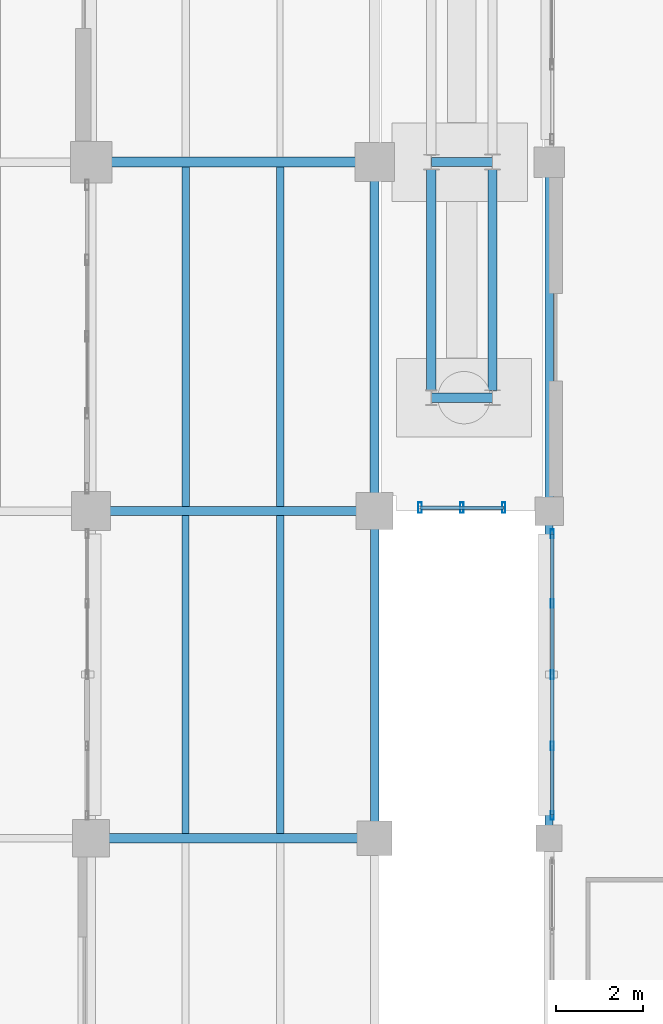
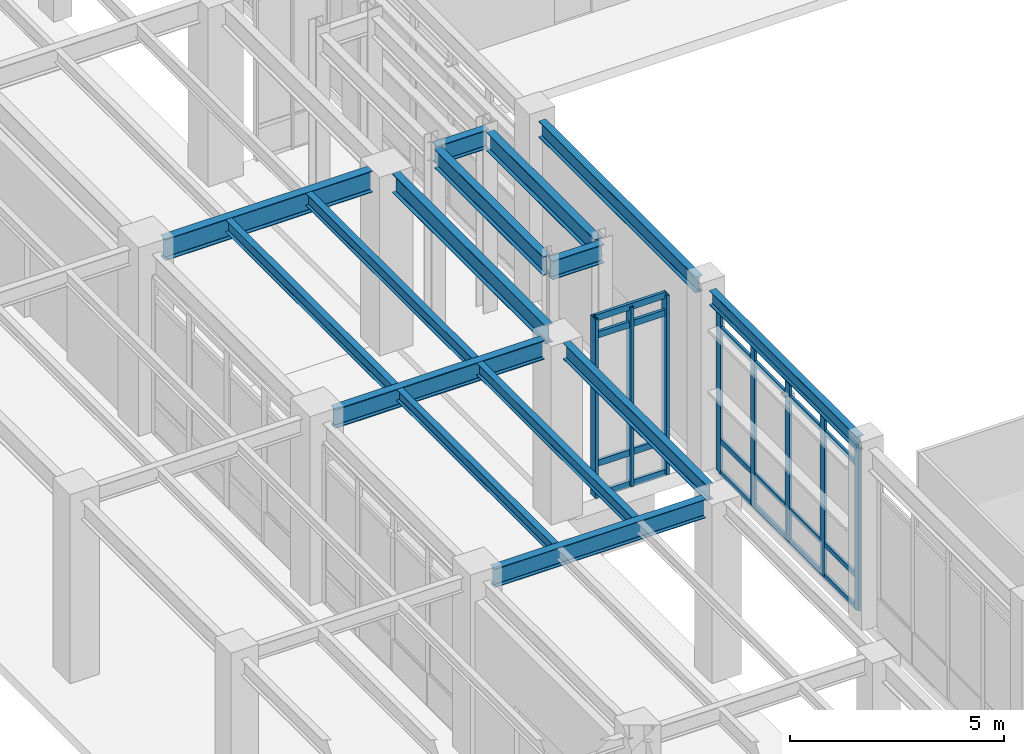
# One storey, part 112 of 203: 16 members, 15 beams, 2 elements without a shape of their own.
"""IFC4 building model written with IfcOpenShell, lengths in metres."""

from ifc_helpers import new_model, si_unit, direction, frame, origin, origin_2d, place, context, subcontext, project, spatial, hollow_rectangle, i_section, extrude, material, material_profile, profile_set, type_object, element, aggregate, save


model = new_model("IFC4")

# Units and contexts
model_context = context("Model", 3, precision=1e-05, world=origin(), true_north=direction((0.0, 1.0)))
body_context = subcontext(model_context, "Body", "Model", "MODEL_VIEW")
ifc_project = project(units=[si_unit("LENGTHUNIT", "METRE"), si_unit("AREAUNIT", "SQUARE_METRE"), si_unit("VOLUMEUNIT", "CUBIC_METRE"), si_unit("PLANEANGLEUNIT", "RADIAN"), si_unit("MASSUNIT", "GRAM", prefix="KILO"), si_unit("THERMODYNAMICTEMPERATUREUNIT", "KELVIN"), si_unit("POWERUNIT", "WATT")], contexts=[model_context])

# Site, building, storey
site_placement = place(None, origin())
site = spatial("IfcSite", under=ifc_project, at=site_placement, CompositionType="ELEMENT")
building_placement = place(site_placement, origin())
building = spatial("IfcBuilding", under=site, at=building_placement, Name="Tepalcoro Natatorium and Aquatics Centre", CompositionType="ELEMENT")
storey_placement = place(building_placement, origin())
storey = spatial("IfcBuildingStorey", under=building, at=storey_placement, Name="L00", CompositionType="ELEMENT", Elevation=0.0)

# Beams
ifc_material_1 = material(Name="Steel ASTM A992 Grade 50 (Fy 345 MPa)", Category="steel")
ifc_material_profile_1 = material_profile(ifc_material_1, i_section(OverallWidth=0.2109375, OverallDepth=0.5380859375, WebThickness=0.011962890625, FlangeThickness=0.01904296875, FilletRadius=0.013916015625, at=origin_2d()), Name="W21X73")
ifc_profile_set_1 = profile_set([ifc_material_profile_1], Name="Steel ASTM A992 Grade 50 (Fy 345 MPa)")
beam_type_1 = type_object("IfcBeamType", Name="BM_LINK_LB1", PredefinedType="BEAM", material=ifc_profile_set_1)
for number, where, z_axis, x_axis, name in (
    (1, (139.300048828125, 30.60009765625, 4.89599609375), (1.0, 0.0, 0.0), (0.0, 1.0, 0.0), "Seismic passage link beam LB1 (V6E L00)"),
    (2, (139.300048828125, 36.0, 4.89599609375), (1.0, 0.0, 0.0), (0.0, 1.0, 0.0), "Seismic passage link beam LB1 (V6E L00)"),
):
    element("IfcBeam", number, at=place(storey_placement, frame(where, z_axis=z_axis, x_axis=x_axis)), inside=storey, type_object=beam_type_1, Name=name, PredefinedType="BEAM", context=body_context, shape_type="SweptSolid", body=[
        extrude(i_section(OverallWidth=0.2109375, OverallDepth=0.5380859375, WebThickness=0.011962890625, FlangeThickness=0.01904296875, FilletRadius=0.013916015625, at=origin_2d()), origin(), (0.0, 0.0, 1.0), 1.39990234375),
    ])
beam_1_placement = place(storey_placement, frame((139.300048828125, 30.757080078125, 4.89599609375), z_axis=(0.0, 1.0, 0.0), x_axis=(-1.0, 0.0, 0.0)))
element("IfcBeam", 3, at=beam_1_placement, inside=storey, type_object=beam_type_1, Name="Seismic passage link beam LB1 (V6E L00)", PredefinedType="BEAM", context=body_context, shape_type="SweptSolid", body=[
    extrude(i_section(OverallWidth=0.2109375, OverallDepth=0.5380859375, WebThickness=0.011962890625, FlangeThickness=0.01904296875, FilletRadius=0.013916015625, at=origin_2d()), origin(), (0.0, 0.0, 1.0), 5.0859375),
])
beam_2_placement = place(storey_placement, frame((140.699951171875, 30.757080078125, 4.89599609375), z_axis=(0.0, 1.0, 0.0), x_axis=(-1.0, 0.0, 0.0)))
element("IfcBeam", 4, at=beam_2_placement, inside=storey, type_object=beam_type_1, Name="Seismic passage link beam LB1 (V6E L00)", PredefinedType="BEAM", context=body_context, shape_type="SweptSolid", body=[
    extrude(i_section(OverallWidth=0.2109375, OverallDepth=0.5380859375, WebThickness=0.011962890625, FlangeThickness=0.01904296875, FilletRadius=0.013916015625, at=origin_2d()), origin(), (0.0, 0.0, 1.0), 5.079833984375),
])
ifc_material_profile_2 = material_profile(ifc_material_1, i_section(OverallWidth=0.2099609375, OverallDepth=0.532958984375, WebThickness=0.010009765625, FlangeThickness=0.01611328125, FilletRadius=0.013916015625, at=origin_2d()), Name="W21X62")
ifc_profile_set_2 = profile_set([ifc_material_profile_2], Name="Steel ASTM A992 Grade 50 (Fy 345 MPa)")
beam_type_2 = type_object("IfcBeamType", Name="BM_W21x62", PredefinedType="BEAM", material=ifc_profile_set_2)
beam_3_placement = place(storey_placement, frame((131.909912109375, 20.5, 4.818603515625), z_axis=(1.0, 0.0, 0.0), x_axis=(0.0, 1.0, 0.0)))
element("IfcBeam", 5, at=beam_3_placement, inside=storey, type_object=beam_type_2, Name="V1 L00 Grid Girder X", PredefinedType="BEAM", context=body_context, shape_type="SweptSolid", body=[
    extrude(i_section(OverallWidth=0.2099609375, OverallDepth=0.532958984375, WebThickness=0.010009765625, FlangeThickness=0.01611328125, FilletRadius=0.013916015625, at=origin_2d()), origin(), (0.0, 0.0, 1.0), 5.705078125),
])
ifc_material_profile_3 = material_profile(ifc_material_1, i_section(OverallWidth=0.2119140625, OverallDepth=0.5439453125, WebThickness=0.012939453125, FlangeThickness=0.02099609375, FilletRadius=0.013916015625, at=origin_2d()), Name="W21X83")
ifc_profile_set_3 = profile_set([ifc_material_profile_3], Name="Steel ASTM A992 Grade 50 (Fy 345 MPa)")
beam_type_3 = type_object("IfcBeamType", Name="BM_W21x83", PredefinedType="BEAM", material=ifc_profile_set_3)
beam_4_placement = place(storey_placement, frame((131.93505859375, 28.0, 4.81298828125), z_axis=(1.0, 0.0, 0.0), x_axis=(0.0, 1.0, 0.0)))
element("IfcBeam", 6, at=beam_4_placement, inside=storey, type_object=beam_type_3, Name="V1 L00 Grid Girder X", PredefinedType="BEAM", context=body_context, shape_type="SweptSolid", body=[
    extrude(i_section(OverallWidth=0.2119140625, OverallDepth=0.5439453125, WebThickness=0.012939453125, FlangeThickness=0.02099609375, FilletRadius=0.013916015625, at=origin_2d()), origin(), (0.0, 0.0, 1.0), 5.655029296875),
])
ifc_material_profile_4 = material_profile(ifc_material_1, i_section(OverallWidth=0.22802734375, OverallDepth=0.60693359375, WebThickness=0.010986328125, FlangeThickness=0.01708984375, FilletRadius=0.013916015625, at=origin_2d()), Name="W24X76")
ifc_profile_set_4 = profile_set([ifc_material_profile_4], Name="Steel ASTM A992 Grade 50 (Fy 345 MPa)")
beam_type_4 = type_object("IfcBeamType", Name="BM_W24x76", PredefinedType="BEAM", material=ifc_profile_set_4)
beam_5_placement = place(storey_placement, frame((131.9599609375, 36.0, 4.781494140625), z_axis=(1.0, 0.0, 0.0), x_axis=(0.0, 1.0, 0.0)))
element("IfcBeam", 7, at=beam_5_placement, inside=storey, type_object=beam_type_4, Name="V1 L00 Grid Girder X", PredefinedType="BEAM", context=body_context, shape_type="SweptSolid", body=[
    extrude(i_section(OverallWidth=0.22802734375, OverallDepth=0.60693359375, WebThickness=0.010986328125, FlangeThickness=0.01708984375, FilletRadius=0.013916015625, at=origin_2d()), origin(), (0.0, 0.0, 1.0), 5.60498046875),
])

# Curtain wall, members
ifc_material_2 = material(Name="Bronze-Anodised Extruded Aluminium Alloy EN AW-6063 T6", Category="aluminium")
curtain_wall_type_1 = type_object("IfcCurtainWallType", Name="CW_LEAN_T1_EW", PredefinedType="USERDEFINED", material=ifc_material_2)
curtain_wall_1_placement = place(storey_placement, origin())
curtain_wall_1 = element("IfcCurtainWall", 8, at=curtain_wall_1_placement, inside=storey, type_object=curtain_wall_type_1, Name="V2 L00 W Unitised Curtain Wall Bay 3", ObjectType="FACETED SOLAR GLAZING", PredefinedType="USERDEFINED")
ifc_material_profile_5 = material_profile(ifc_material_2, hollow_rectangle(XDim=0.070068359375, YDim=0.199951171875, WallThickness=0.0048828125, at=origin_2d()), Name="AL70X200X5")
ifc_profile_set_5 = profile_set([ifc_material_profile_5], Name="Bronze-Anodised Extruded Aluminium Alloy EN AW-6063 T6")
member_type_1 = type_object("IfcMemberType", Name="CW_MUL_70x200", PredefinedType="MULLION", material=ifc_profile_set_5)
member_1_placement = place(storey_placement, frame((142.0712890625, 21.02001953125, 0.02001953125), z_axis=(0.0, 0.0, 1.0), x_axis=(1.0, 0.0, 0.0)))
member_1 = element("IfcMember", 9, at=member_1_placement, type_object=member_type_1, Name="CW_LEAN_T1_EW Curtain Wall Mullion", PredefinedType="MULLION", context=body_context, shape_type="SweptSolid", body=[
    extrude(hollow_rectangle(XDim=0.070068359375, YDim=0.199951171875, WallThickness=0.0048828125, at=origin_2d()), origin(), (0.0, 0.0, 1.0), 4.656982421875),
])
member_2_placement = place(storey_placement, frame((142.0712890625, 22.614990234375, 0.02001953125), z_axis=(0.0, 0.0, 1.0), x_axis=(1.0, 0.0, 0.0)))
member_2 = element("IfcMember", 10, at=member_2_placement, type_object=member_type_1, Name="CW_LEAN_T1_EW Curtain Wall Mullion", PredefinedType="MULLION", context=body_context, shape_type="SweptSolid", body=[
    extrude(hollow_rectangle(XDim=0.070068359375, YDim=0.199951171875, WallThickness=0.0048828125, at=origin_2d()), origin(), (0.0, 0.0, 1.0), 4.656982421875),
])
member_3_placement = place(storey_placement, frame((142.0712890625, 24.25, 0.02001953125), z_axis=(0.0, 0.0, 1.0), x_axis=(1.0, 0.0, 0.0)))
member_3 = element("IfcMember", 11, at=member_3_placement, type_object=member_type_1, Name="CW_LEAN_T1_EW Curtain Wall Mullion", PredefinedType="MULLION", context=body_context, shape_type="SweptSolid", body=[
    extrude(hollow_rectangle(XDim=0.070068359375, YDim=0.199951171875, WallThickness=0.0048828125, at=origin_2d()), origin(), (0.0, 0.0, 1.0), 4.656982421875),
])
member_4_placement = place(storey_placement, frame((142.0712890625, 25.885009765625, 0.02001953125), z_axis=(0.0, 0.0, 1.0), x_axis=(1.0, 0.0, 0.0)))
member_4 = element("IfcMember", 12, at=member_4_placement, type_object=member_type_1, Name="CW_LEAN_T1_EW Curtain Wall Mullion", PredefinedType="MULLION", context=body_context, shape_type="SweptSolid", body=[
    extrude(hollow_rectangle(XDim=0.070068359375, YDim=0.199951171875, WallThickness=0.0048828125, at=origin_2d()), origin(), (0.0, 0.0, 1.0), 4.656982421875),
])
member_5_placement = place(storey_placement, frame((142.0712890625, 27.47998046875, 0.02001953125), z_axis=(0.0, 0.0, 1.0), x_axis=(1.0, 0.0, 0.0)))
member_5 = element("IfcMember", 13, at=member_5_placement, type_object=member_type_1, Name="CW_LEAN_T1_EW Curtain Wall Mullion", PredefinedType="MULLION", context=body_context, shape_type="SweptSolid", body=[
    extrude(hollow_rectangle(XDim=0.070068359375, YDim=0.199951171875, WallThickness=0.0048828125, at=origin_2d()), origin(), (0.0, 0.0, 1.0), 4.656982421875),
])

curtain_wall_type_2 = type_object("IfcCurtainWallType", Name="CW_LINK_150", PredefinedType="USERDEFINED", material=ifc_material_2)
curtain_wall_2_placement = place(storey_placement, origin())
curtain_wall_2 = element("IfcCurtainWall", 14, at=curtain_wall_2_placement, inside=storey, type_object=curtain_wall_type_2, Name="East Diving Seismic Link Glazed Wall S L00", ObjectType="UNITISED STOREFRONT", PredefinedType="USERDEFINED")
ifc_material_profile_6 = material_profile(ifc_material_2, hollow_rectangle(XDim=0.080078125, YDim=0.239990234375, WallThickness=0.0048828125, at=origin_2d()), Name="AL80X240X5")
ifc_profile_set_6 = profile_set([ifc_material_profile_6], Name="Bronze-Anodised Extruded Aluminium Alloy EN AW-6063 T6")
member_type_2 = type_object("IfcMemberType", Name="CW_MUL_80x240", PredefinedType="MULLION", material=ifc_profile_set_6)
member_6_placement = place(storey_placement, frame((139.0400390625, 28.080078125, 0.02001953125), z_axis=(0.0, 0.0, 1.0), x_axis=(1.0, 0.0, 0.0)))
member_6 = element("IfcMember", 15, at=member_6_placement, type_object=member_type_2, Name="CW_LINK_150 Curtain Wall Mullion", PredefinedType="MULLION", context=body_context, shape_type="SweptSolid", body=[
    extrude(hollow_rectangle(XDim=0.080078125, YDim=0.239990234375, WallThickness=0.0048828125, at=origin_2d()), origin(), (0.0, 0.0, 1.0), 5.119873046875),
])
member_7_placement = place(storey_placement, frame((140.0, 28.080078125, 0.02001953125), z_axis=(0.0, 0.0, 1.0), x_axis=(1.0, 0.0, 0.0)))
member_7 = element("IfcMember", 16, at=member_7_placement, type_object=member_type_2, Name="CW_LINK_150 Curtain Wall Mullion", PredefinedType="MULLION", context=body_context, shape_type="SweptSolid", body=[
    extrude(hollow_rectangle(XDim=0.080078125, YDim=0.239990234375, WallThickness=0.0048828125, at=origin_2d()), origin(), (0.0, 0.0, 1.0), 5.119873046875),
])
member_8_placement = place(storey_placement, frame((140.9599609375, 28.080078125, 0.02001953125), z_axis=(0.0, 0.0, 1.0), x_axis=(1.0, 0.0, 0.0)))
member_8 = element("IfcMember", 17, at=member_8_placement, type_object=member_type_2, Name="CW_LINK_150 Curtain Wall Mullion", PredefinedType="MULLION", context=body_context, shape_type="SweptSolid", body=[
    extrude(hollow_rectangle(XDim=0.080078125, YDim=0.239990234375, WallThickness=0.0048828125, at=origin_2d()), origin(), (0.0, 0.0, 1.0), 5.119873046875),
])

# Member
ifc_material_profile_7 = material_profile(ifc_material_2, hollow_rectangle(XDim=0.070068359375, YDim=0.14990234375, WallThickness=0.00390625, at=origin_2d()), Name="AL70X150X4")
ifc_profile_set_7 = profile_set([ifc_material_profile_7], Name="Bronze-Anodised Extruded Aluminium Alloy EN AW-6063 T6")
member_type_3 = type_object("IfcMemberType", Name="CW_TRN_70x150", PredefinedType="USERDEFINED", material=ifc_profile_set_7)
member_9_placement = place(storey_placement, frame((142.0712890625, 21.030029296875, 0.050048828125), z_axis=(0.0, 1.0, 0.0), x_axis=(-1.0, 0.0, 0.0)))
member_9 = element("IfcMember", 18, at=member_9_placement, type_object=member_type_3, Name="CW_LEAN_T1_EW Curtain Wall Transom", ObjectType="TRANSOM", PredefinedType="USERDEFINED", context=body_context, shape_type="SweptSolid", body=[
    extrude(hollow_rectangle(XDim=0.070068359375, YDim=0.14990234375, WallThickness=0.00390625, at=origin_2d()), origin(), (0.0, 0.0, 1.0), 6.43994140625),
])

member_10_placement = place(storey_placement, frame((142.0712890625, 21.030029296875, 0.949951171875), z_axis=(0.0, 1.0, 0.0), x_axis=(-1.0, 0.0, 0.0)))
member_10 = element("IfcMember", 19, at=member_10_placement, type_object=member_type_3, Name="CW_LEAN_T1_EW Curtain Wall Transom", ObjectType="TRANSOM", PredefinedType="USERDEFINED", context=body_context, shape_type="SweptSolid", body=[
    extrude(hollow_rectangle(XDim=0.070068359375, YDim=0.14990234375, WallThickness=0.00390625, at=origin_2d()), origin(), (0.0, 0.0, 1.0), 6.43994140625),
])

member_11_placement = place(storey_placement, frame((142.0712890625, 21.030029296875, 4.14697265625), z_axis=(0.0, 1.0, 0.0), x_axis=(-1.0, 0.0, 0.0)))
member_11 = element("IfcMember", 20, at=member_11_placement, type_object=member_type_3, Name="CW_LEAN_T1_EW Curtain Wall Transom", ObjectType="TRANSOM", PredefinedType="USERDEFINED", context=body_context, shape_type="SweptSolid", body=[
    extrude(hollow_rectangle(XDim=0.070068359375, YDim=0.14990234375, WallThickness=0.00390625, at=origin_2d()), origin(), (0.0, 0.0, 1.0), 6.43994140625),
])

member_12_placement = place(storey_placement, frame((142.0712890625, 21.030029296875, 4.64697265625), z_axis=(0.0, 1.0, 0.0), x_axis=(-1.0, 0.0, 0.0)))
member_12 = element("IfcMember", 21, at=member_12_placement, type_object=member_type_3, Name="CW_LEAN_T1_EW Curtain Wall Transom", ObjectType="TRANSOM", PredefinedType="USERDEFINED", context=body_context, shape_type="SweptSolid", body=[
    extrude(hollow_rectangle(XDim=0.070068359375, YDim=0.14990234375, WallThickness=0.00390625, at=origin_2d()), origin(), (0.0, 0.0, 1.0), 6.43994140625),
])

aggregate(curtain_wall_1, [member_1, member_2, member_3, member_4, member_5, member_9, member_10, member_11, member_12])

ifc_material_profile_8 = material_profile(ifc_material_2, hollow_rectangle(XDim=0.080078125, YDim=0.179931640625, WallThickness=0.0048828125, at=origin_2d()), Name="AL80X180X5")
ifc_profile_set_8 = profile_set([ifc_material_profile_8], Name="Bronze-Anodised Extruded Aluminium Alloy EN AW-6063 T6")
member_type_4 = type_object("IfcMemberType", Name="CW_TRN_80x180", PredefinedType="USERDEFINED", material=ifc_profile_set_8)
member_13_placement = place(storey_placement, frame((139.050048828125, 28.080078125, 0.050048828125), z_axis=(1.0, 0.0, 0.0), x_axis=(0.0, 1.0, 0.0)))
member_13 = element("IfcMember", 22, at=member_13_placement, type_object=member_type_4, Name="CW_LINK_150 Curtain Wall Transom", ObjectType="TRANSOM", PredefinedType="USERDEFINED", context=body_context, shape_type="SweptSolid", body=[
    extrude(hollow_rectangle(XDim=0.080078125, YDim=0.179931640625, WallThickness=0.0048828125, at=origin_2d()), origin(), (0.0, 0.0, 1.0), 1.89990234375),
])

member_14_placement = place(storey_placement, frame((139.050048828125, 28.080078125, 0.949951171875), z_axis=(1.0, 0.0, 0.0), x_axis=(0.0, 1.0, 0.0)))
member_14 = element("IfcMember", 23, at=member_14_placement, type_object=member_type_4, Name="CW_LINK_150 Curtain Wall Transom", ObjectType="TRANSOM", PredefinedType="USERDEFINED", context=body_context, shape_type="SweptSolid", body=[
    extrude(hollow_rectangle(XDim=0.080078125, YDim=0.179931640625, WallThickness=0.0048828125, at=origin_2d()), origin(), (0.0, 0.0, 1.0), 1.89990234375),
])

member_15_placement = place(storey_placement, frame((139.050048828125, 28.080078125, 4.610107421875), z_axis=(1.0, 0.0, 0.0), x_axis=(0.0, 1.0, 0.0)))
member_15 = element("IfcMember", 24, at=member_15_placement, type_object=member_type_4, Name="CW_LINK_150 Curtain Wall Transom", ObjectType="TRANSOM", PredefinedType="USERDEFINED", context=body_context, shape_type="SweptSolid", body=[
    extrude(hollow_rectangle(XDim=0.080078125, YDim=0.179931640625, WallThickness=0.0048828125, at=origin_2d()), origin(), (0.0, 0.0, 1.0), 1.89990234375),
])

member_16_placement = place(storey_placement, frame((139.050048828125, 28.080078125, 5.110107421875), z_axis=(1.0, 0.0, 0.0), x_axis=(0.0, 1.0, 0.0)))
member_16 = element("IfcMember", 25, at=member_16_placement, type_object=member_type_4, Name="CW_LINK_150 Curtain Wall Transom", ObjectType="TRANSOM", PredefinedType="USERDEFINED", context=body_context, shape_type="SweptSolid", body=[
    extrude(hollow_rectangle(XDim=0.080078125, YDim=0.179931640625, WallThickness=0.0048828125, at=origin_2d()), origin(), (0.0, 0.0, 1.0), 1.89990234375),
])

aggregate(curtain_wall_2, [member_6, member_7, member_8, member_13, member_14, member_15, member_16])

# Beams
ifc_material_profile_9 = material_profile(ifc_material_1, i_section(OverallWidth=0.1669921875, OverallDepth=0.318115234375, WebThickness=0.008056640625, FlangeThickness=0.012939453125, FilletRadius=0.013916015625, at=origin_2d()), Name="W12X35")
ifc_profile_set_9 = profile_set([ifc_material_profile_9], Name="Steel ASTM A992 Grade 50 (Fy 345 MPa)")
beam_type_5 = type_object("IfcBeamType", Name="JS_W12x35", PredefinedType="JOIST", material=ifc_profile_set_9)
beam_6_placement = place(storey_placement, frame((133.666748046875, 20.60498046875, 4.926025390625), z_axis=(0.0, 1.0, 0.0), x_axis=(-1.0, 0.0, 0.0)))
element("IfcBeam", 26, at=beam_6_placement, inside=storey, type_object=beam_type_5, Name="V1 L00 Floor Joist", PredefinedType="JOIST", context=body_context, shape_type="SweptSolid", body=[
    extrude(i_section(OverallWidth=0.1669921875, OverallDepth=0.318115234375, WebThickness=0.008056640625, FlangeThickness=0.012939453125, FilletRadius=0.013916015625, at=origin_2d()), origin(), (0.0, 0.0, 1.0), 7.2890625),
])
ifc_material_profile_10 = material_profile(ifc_material_1, i_section(OverallWidth=0.1708984375, OverallDepth=0.35107421875, WebThickness=0.007080078125, FlangeThickness=0.010009765625, FilletRadius=0.013916015625, at=origin_2d()), Name="W14X30")
ifc_profile_set_10 = profile_set([ifc_material_profile_10], Name="Steel ASTM A992 Grade 50 (Fy 345 MPa)")
beam_type_6 = type_object("IfcBeamType", Name="JS_W14x30", PredefinedType="JOIST", material=ifc_profile_set_10)
beam_7_placement = place(storey_placement, frame((135.833251953125, 20.60498046875, 4.909423828125), z_axis=(0.0, 1.0, 0.0), x_axis=(-1.0, 0.0, 0.0)))
element("IfcBeam", 27, at=beam_7_placement, inside=storey, type_object=beam_type_6, Name="V1 L00 Floor Joist", PredefinedType="JOIST", context=body_context, shape_type="SweptSolid", body=[
    extrude(i_section(OverallWidth=0.1708984375, OverallDepth=0.35107421875, WebThickness=0.007080078125, FlangeThickness=0.010009765625, FilletRadius=0.013916015625, at=origin_2d()), origin(), (0.0, 0.0, 1.0), 7.2890625),
])
beam_8_placement = place(storey_placement, frame((133.666748046875, 28.10595703125, 4.909423828125), z_axis=(0.0, 1.0, 0.0), x_axis=(-1.0, 0.0, 0.0)))
element("IfcBeam", 28, at=beam_8_placement, inside=storey, type_object=beam_type_6, Name="V1 L00 Floor Joist", PredefinedType="JOIST", context=body_context, shape_type="SweptSolid", body=[
    extrude(i_section(OverallWidth=0.1708984375, OverallDepth=0.35107421875, WebThickness=0.007080078125, FlangeThickness=0.010009765625, FilletRadius=0.013916015625, at=origin_2d()), origin(), (0.0, 0.0, 1.0), 7.780029296875),
])
ifc_material_profile_11 = material_profile(ifc_material_1, i_section(OverallWidth=0.172119140625, OverallDepth=0.35791015625, WebThickness=0.008056640625, FlangeThickness=0.012939453125, FilletRadius=0.013916015625, at=origin_2d()), Name="W14X38")
ifc_profile_set_11 = profile_set([ifc_material_profile_11], Name="Steel ASTM A992 Grade 50 (Fy 345 MPa)")
beam_type_7 = type_object("IfcBeamType", Name="JS_W14x38", PredefinedType="JOIST", material=ifc_profile_set_11)
beam_9_placement = place(storey_placement, frame((135.833251953125, 28.10595703125, 4.906005859375), z_axis=(0.0, 1.0, 0.0), x_axis=(-1.0, 0.0, 0.0)))
element("IfcBeam", 29, at=beam_9_placement, inside=storey, type_object=beam_type_7, Name="V1 L00 Floor Joist", PredefinedType="JOIST", context=body_context, shape_type="SweptSolid", body=[
    extrude(i_section(OverallWidth=0.172119140625, OverallDepth=0.35791015625, WebThickness=0.008056640625, FlangeThickness=0.012939453125, FilletRadius=0.013916015625, at=origin_2d()), origin(), (0.0, 0.0, 1.0), 7.780029296875),
])
ifc_material_profile_12 = material_profile(ifc_material_1, i_section(OverallWidth=0.179931640625, OverallDepth=0.4130859375, WebThickness=0.010009765625, FlangeThickness=0.01611328125, FilletRadius=0.013916015625, at=origin_2d()), Name="W16X50")
ifc_profile_set_12 = profile_set([ifc_material_profile_12], Name="Steel ASTM A992 Grade 50 (Fy 345 MPa)")
beam_type_8 = type_object("IfcBeamType", Name="SP_HSS300x200x12", PredefinedType="SPANDREL", material=ifc_profile_set_12)
beam_10_placement = place(storey_placement, frame((142.0, 20.784912109375, 4.91845703125), z_axis=(0.0, 1.0, 0.0), x_axis=(-1.0, 0.0, 0.0)))
element("IfcBeam", 30, at=beam_10_placement, inside=storey, type_object=beam_type_8, Name="V2 L00 Grid Girder Y", PredefinedType="SPANDREL", context=body_context, shape_type="SweptSolid", body=[
    extrude(i_section(OverallWidth=0.179931640625, OverallDepth=0.4130859375, WebThickness=0.010009765625, FlangeThickness=0.01611328125, FilletRadius=0.013916015625, at=origin_2d()), origin(), (0.0, 0.0, 1.0), 6.905029296875),
])
ifc_material_profile_13 = material_profile(ifc_material_1, i_section(OverallWidth=0.19091796875, OverallDepth=0.4599609375, WebThickness=0.010009765625, FlangeThickness=0.01611328125, FilletRadius=0.013916015625, at=origin_2d()), Name="W18X55")
ifc_profile_set_13 = profile_set([ifc_material_profile_13], Name="Steel ASTM A992 Grade 50 (Fy 345 MPa)")
beam_type_9 = type_object("IfcBeamType", Name="SP_W18x55", PredefinedType="SPANDREL", material=ifc_profile_set_13)
beam_11_placement = place(storey_placement, frame((138.0, 20.885009765625, 4.85498046875), z_axis=(0.0, 1.0, 0.0), x_axis=(-1.0, 0.0, 0.0)))
element("IfcBeam", 31, at=beam_11_placement, inside=storey, type_object=beam_type_9, Name="V1 L00 Grid Girder Y", PredefinedType="SPANDREL", context=body_context, shape_type="SweptSolid", body=[
    extrude(i_section(OverallWidth=0.19091796875, OverallDepth=0.4599609375, WebThickness=0.010009765625, FlangeThickness=0.01611328125, FilletRadius=0.013916015625, at=origin_2d()), origin(), (0.0, 0.0, 1.0), 6.705078125),
])
beam_12_placement = place(storey_placement, frame((142.0, 28.31005859375, 4.89501953125), z_axis=(0.0, 1.0, 0.0), x_axis=(-1.0, 0.0, 0.0)))
element("IfcBeam", 32, at=beam_12_placement, inside=storey, type_object=beam_type_9, Name="V2 L00 Grid Girder Y", PredefinedType="SPANDREL", context=body_context, shape_type="SweptSolid", body=[
    extrude(i_section(OverallWidth=0.19091796875, OverallDepth=0.4599609375, WebThickness=0.010009765625, FlangeThickness=0.01611328125, FilletRadius=0.013916015625, at=origin_2d()), origin(), (0.0, 0.0, 1.0), 7.35498046875),
])
ifc_material_profile_14 = material_profile(ifc_material_1, i_section(OverallWidth=0.2099609375, OverallDepth=0.535888671875, WebThickness=0.010986328125, FlangeThickness=0.01708984375, FilletRadius=0.013916015625, at=origin_2d()), Name="W21X68")
ifc_profile_set_14 = profile_set([ifc_material_profile_14], Name="Steel ASTM A992 Grade 50 (Fy 345 MPa)")
beam_type_10 = type_object("IfcBeamType", Name="SP_W21x68", PredefinedType="SPANDREL", material=ifc_profile_set_14)
beam_13_placement = place(storey_placement, frame((138.0, 28.409912109375, 4.81689453125), z_axis=(0.0, 1.0, 0.0), x_axis=(-1.0, 0.0, 0.0)))
element("IfcBeam", 33, at=beam_13_placement, inside=storey, type_object=beam_type_10, Name="V1 L00 Grid Girder Y", PredefinedType="SPANDREL", context=body_context, shape_type="SweptSolid", body=[
    extrude(i_section(OverallWidth=0.2099609375, OverallDepth=0.535888671875, WebThickness=0.010986328125, FlangeThickness=0.01708984375, FilletRadius=0.013916015625, at=origin_2d()), origin(), (0.0, 0.0, 1.0), 7.155029296875),
])

save(model, "model.ifc")
